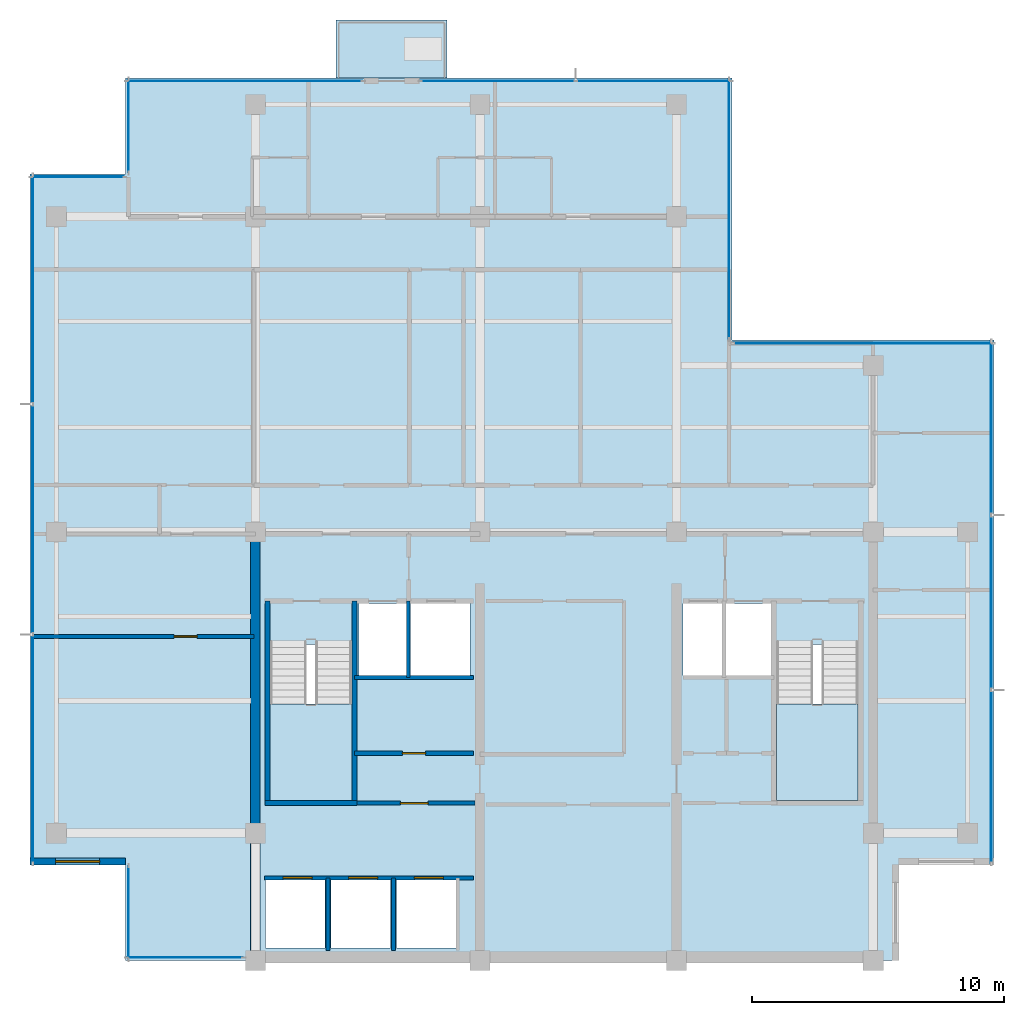
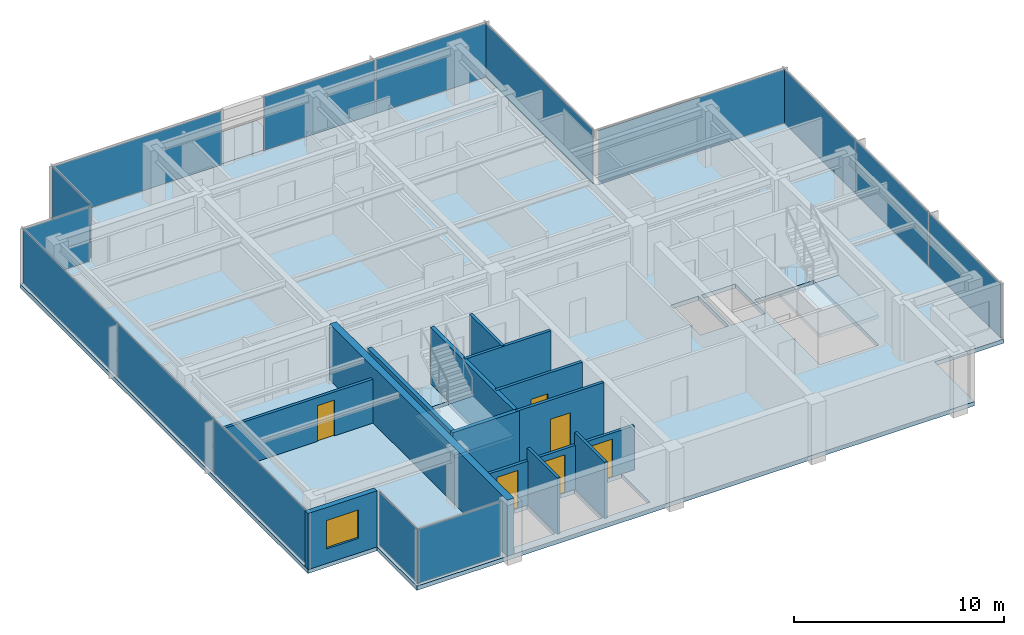
# One storey, part 5 of 11: 15 plates, 13 walls, 6 doors, 4 slabs, 1 window, 7 openings, 12 elements without a shape of their own.
"""IFC4 building model written with IfcOpenShell, lengths in metres."""

from ifc_helpers import new_model, si_unit, direction, frame, frame_2d, origin, origin_2d, place, context, subcontext, project, spatial, polyline, rectangle, outline, extrude, material, layer, layer_set, type_object, element, fill, aggregate, save


model = new_model("IFC4")

# Units and contexts
model_context = context("Model", 3, precision=1e-05, world=origin(), true_north=direction((0.0, 1.0)))
body_context = subcontext(model_context, "Body", "Model", "MODEL_VIEW")
ifc_project = project(units=[si_unit("LENGTHUNIT", "METRE"), si_unit("AREAUNIT", "SQUARE_METRE"), si_unit("VOLUMEUNIT", "CUBIC_METRE"), si_unit("PLANEANGLEUNIT", "RADIAN"), si_unit("MASSUNIT", "GRAM", prefix="KILO")], contexts=[model_context])

# Site, building, storey
site_placement = place(None, origin())
site = spatial("IfcSite", under=ifc_project, at=site_placement, CompositionType="ELEMENT")
building_placement = place(site_placement, origin())
building = spatial("IfcBuilding", under=site, at=building_placement, Name="Qalmaran Belvedere Hotel", CompositionType="ELEMENT")
storey_placement = place(building_placement, frame((0.0, 0.0, 263.39990234375)))
storey = spatial("IfcBuildingStorey", under=building, at=storey_placement, Name="L68", CompositionType="ELEMENT", Elevation=263.39990234375)

# Curtain wall, plate
ifc_material_1 = material(Name="Anodised Bronze Aluminium", Category="aluminium")
ifc_layer_1 = layer(ifc_material_1, 0.18505859375, Name="Anodised Bronze Aluminium")
ifc_layer_set_1 = layer_set([ifc_layer_1], Name="Anodised Bronze Aluminium")
curtain_wall_type = type_object("IfcCurtainWallType", Name="CW6-TOWER-SKY", PredefinedType="NOTDEFINED", material=ifc_layer_set_1)
curtain_wall_1_placement = place(storey_placement, origin())
curtain_wall_1 = element("IfcCurtainWall", 1, at=curtain_wall_1_placement, inside=storey, type_object=curtain_wall_type, Name="L68 Curtain Wall CW6", PredefinedType="NOTDEFINED")
ifc_material_2 = material(Name="Solar-Control Double Glazing", Category="glass")
ifc_layer_2 = layer(ifc_material_2, 0.028076171875, Name="Solar-Control Double Glazing")
ifc_layer_set_2 = layer_set([ifc_layer_2], Name="Solar-Control Double Glazing")
plate_type = type_object("IfcPlateType", Name="CWP-VISION-28", PredefinedType="CURTAIN_PANEL", material=ifc_layer_set_2)
plate_1_placement = place(storey_placement, frame((17.5048828125, 3.6201171875, 0.065185546875), z_axis=(0.0, 0.0, 1.0), x_axis=(1.0, 0.0, 0.0)))
plate_1 = element("IfcPlate", 2, at=plate_1_placement, type_object=plate_type, Name="CW6 panel 1.1", PredefinedType="CURTAIN_PANEL", context=body_context, shape_type="SweptSolid", body=[
    extrude(rectangle(XDim=4.580078125, YDim=0.028076171875, at=origin_2d()), origin(), (0.0, 0.0, 1.0), 3.1298828125),
])
aggregate(curtain_wall_1, [plate_1])

# Curtain wall, plates
curtain_wall_2_placement = place(storey_placement, origin())
curtain_wall_2 = element("IfcCurtainWall", 3, at=curtain_wall_2_placement, inside=storey, type_object=curtain_wall_type, Name="L68 Curtain Wall CW6", PredefinedType="NOTDEFINED")
plate_2_placement = place(storey_placement, frame((49.47998046875, 10.782958984375, 0.065185546875), z_axis=(0.0, 0.0, 1.0), x_axis=(0.0, 1.0, 0.0)))
plate_2 = element("IfcPlate", 4, at=plate_2_placement, type_object=plate_type, Name="CW6 panel 1.1", PredefinedType="CURTAIN_PANEL", context=body_context, shape_type="SweptSolid", body=[
    extrude(rectangle(XDim=6.8359375, YDim=0.028076171875, at=origin_2d()), origin(), (0.0, 0.0, 1.0), 3.1298828125),
])
plate_3_placement = place(storey_placement, frame((49.47998046875, 17.699951171875, 0.065185546875), z_axis=(0.0, 0.0, 1.0), x_axis=(0.0, 1.0, 0.0)))
plate_3 = element("IfcPlate", 5, at=plate_3_placement, type_object=plate_type, Name="CW6 panel 2.1", PredefinedType="CURTAIN_PANEL", context=body_context, shape_type="SweptSolid", body=[
    extrude(rectangle(XDim=6.868408203125, YDim=0.028076171875, at=origin_2d()), origin(), (0.0, 0.0, 1.0), 3.1298828125),
])
plate_4_placement = place(storey_placement, frame((49.47998046875, 24.6171875, 0.065185546875), z_axis=(0.0, 0.0, 1.0), x_axis=(0.0, 1.0, 0.0)))
plate_4 = element("IfcPlate", 6, at=plate_4_placement, type_object=plate_type, Name="CW6 panel 3.1", PredefinedType="CURTAIN_PANEL", context=body_context, shape_type="SweptSolid", body=[
    extrude(rectangle(XDim=6.8359375, YDim=0.028076171875, at=origin_2d()), origin(), (0.0, 0.0, 1.0), 3.1298828125),
])
aggregate(curtain_wall_2, [plate_2, plate_3, plate_4])

# Curtain wall, plate
curtain_wall_3_placement = place(storey_placement, origin())
curtain_wall_3 = element("IfcCurtainWall", 7, at=curtain_wall_3_placement, inside=storey, type_object=curtain_wall_type, Name="L68 Curtain Wall CW6", PredefinedType="NOTDEFINED")
plate_5_placement = place(storey_placement, frame((44.39990234375, 27.97998046875, 0.065185546875), z_axis=(0.0, 0.0, 1.0), x_axis=(-1.0, 0.0, 0.0)))
plate_5 = element("IfcPlate", 8, at=plate_5_placement, type_object=plate_type, Name="CW6 panel 1.1", PredefinedType="CURTAIN_PANEL", context=body_context, shape_type="SweptSolid", body=[
    extrude(rectangle(XDim=10.27001953125, YDim=0.028076171875, at=origin_2d()), origin(), (0.0, 0.0, 1.0), 3.1298828125),
])
aggregate(curtain_wall_3, [plate_5])

curtain_wall_4_placement = place(storey_placement, origin())
curtain_wall_4 = element("IfcCurtainWall", 9, at=curtain_wall_4_placement, inside=storey, type_object=curtain_wall_type, Name="L68 Curtain Wall CW6", PredefinedType="NOTDEFINED")
plate_6_placement = place(storey_placement, frame((39.080078125, 33.300048828125, 0.065185546875), z_axis=(0.0, 0.0, 1.0), x_axis=(0.0, 1.0, 0.0)))
plate_6 = element("IfcPlate", 10, at=plate_6_placement, type_object=plate_type, Name="CW6 panel 1.1", PredefinedType="CURTAIN_PANEL", context=body_context, shape_type="SweptSolid", body=[
    extrude(rectangle(XDim=10.27001953125, YDim=0.028076171875, at=origin_2d()), origin(), (0.0, 0.0, 1.0), 3.1298828125),
])
aggregate(curtain_wall_4, [plate_6])

curtain_wall_5_placement = place(storey_placement, origin())
curtain_wall_5 = element("IfcCurtainWall", 11, at=curtain_wall_5_placement, inside=storey, type_object=curtain_wall_type, Name="L68 Curtain Wall CW6", PredefinedType="NOTDEFINED")
plate_7_placement = place(storey_placement, frame((19.875, 38.3798828125, 0.065185546875), z_axis=(0.0, 0.0, 1.0), x_axis=(-1.0, 0.0, 0.0)))
plate_7 = element("IfcPlate", 12, at=plate_7_placement, type_object=plate_type, Name="CW6 panel 1.1", PredefinedType="CURTAIN_PANEL", context=body_context, shape_type="SweptSolid", body=[
    extrude(rectangle(XDim=9.320068359375, YDim=0.028076171875, at=origin_2d()), origin(), (0.0, 0.0, 1.0), 3.1298828125),
])
aggregate(curtain_wall_5, [plate_7])

# Curtain wall, plates
curtain_wall_6_placement = place(storey_placement, origin())
curtain_wall_6 = element("IfcCurtainWall", 13, at=curtain_wall_6_placement, inside=storey, type_object=curtain_wall_type, Name="L68 Curtain Wall CW6", PredefinedType="NOTDEFINED")
plate_8_placement = place(storey_placement, frame((36.083740234375, 38.3798828125, 0.065185546875), z_axis=(0.0, 0.0, 1.0), x_axis=(-1.0, 0.0, 0.0)))
plate_8 = element("IfcPlate", 14, at=plate_8_placement, type_object=plate_type, Name="CW6 panel 1.1", PredefinedType="CURTAIN_PANEL", context=body_context, shape_type="SweptSolid", body=[
    extrude(rectangle(XDim=6.1025390625, YDim=0.028076171875, at=origin_2d()), origin(), (0.0, 0.0, 1.0), 3.1298828125),
])
plate_9_placement = place(storey_placement, frame((29.916259765625, 38.3798828125, 0.065185546875), z_axis=(0.0, 0.0, 1.0), x_axis=(-1.0, 0.0, 0.0)))
plate_9 = element("IfcPlate", 15, at=plate_9_placement, type_object=plate_type, Name="CW6 panel 2.1", PredefinedType="CURTAIN_PANEL", context=body_context, shape_type="SweptSolid", body=[
    extrude(rectangle(XDim=6.1025390625, YDim=0.028076171875, at=origin_2d()), origin(), (0.0, 0.0, 1.0), 3.1298828125),
])
aggregate(curtain_wall_6, [plate_8, plate_9])

# Curtain wall, plate
curtain_wall_7_placement = place(storey_placement, origin())
curtain_wall_7 = element("IfcCurtainWall", 16, at=curtain_wall_7_placement, inside=storey, type_object=curtain_wall_type, Name="L68 Curtain Wall CW6", PredefinedType="NOTDEFINED")
plate_10_placement = place(storey_placement, frame((15.27001953125, 36.60009765625, 0.065185546875), z_axis=(0.0, 0.0, 1.0), x_axis=(0.0, -1.0, 0.0)))
plate_10 = element("IfcPlate", 17, at=plate_10_placement, type_object=plate_type, Name="CW6 panel 1.1", PredefinedType="CURTAIN_PANEL", context=body_context, shape_type="SweptSolid", body=[
    extrude(rectangle(XDim=3.669921875, YDim=0.028076171875, at=origin_2d()), origin(), (0.0, 0.0, 1.0), 3.1298828125),
])
aggregate(curtain_wall_7, [plate_10])

curtain_wall_8_placement = place(storey_placement, origin())
curtain_wall_8 = element("IfcCurtainWall", 18, at=curtain_wall_8_placement, inside=storey, type_object=curtain_wall_type, Name="L68 Curtain Wall CW6", PredefinedType="NOTDEFINED")
plate_11_placement = place(storey_placement, frame((13.25, 34.580078125, 0.065185546875), z_axis=(0.0, 0.0, 1.0), x_axis=(-1.0, 0.0, 0.0)))
plate_11 = element("IfcPlate", 19, at=plate_11_placement, type_object=plate_type, Name="CW6 panel 1.1", PredefinedType="CURTAIN_PANEL", context=body_context, shape_type="SweptSolid", body=[
    extrude(rectangle(XDim=3.669921875, YDim=0.028076171875, at=origin_2d()), origin(), (0.0, 0.0, 1.0), 3.1298828125),
])
aggregate(curtain_wall_8, [plate_11])

# Curtain wall, plates
curtain_wall_9_placement = place(storey_placement, origin())
curtain_wall_9 = element("IfcCurtainWall", 20, at=curtain_wall_9_placement, inside=storey, type_object=curtain_wall_type, Name="L68 Curtain Wall CW6", PredefinedType="NOTDEFINED")
plate_12_placement = place(storey_placement, frame((11.469970703125, 30.1171875, 0.065185546875), z_axis=(0.0, 0.0, 1.0), x_axis=(0.0, -1.0, 0.0)))
plate_12 = element("IfcPlate", 21, at=plate_12_placement, type_object=plate_type, Name="CW6 panel 1.1", PredefinedType="CURTAIN_PANEL", context=body_context, shape_type="SweptSolid", body=[
    extrude(rectangle(XDim=9.035888671875, YDim=0.028076171875, at=origin_2d()), origin(), (0.0, 0.0, 1.0), 3.1298828125),
])
plate_13_placement = place(storey_placement, frame((11.469970703125, 21.0, 0.065185546875), z_axis=(0.0, 0.0, 1.0), x_axis=(0.0, -1.0, 0.0)))
plate_13 = element("IfcPlate", 22, at=plate_13_placement, type_object=plate_type, Name="CW6 panel 2.1", PredefinedType="CURTAIN_PANEL", context=body_context, shape_type="SweptSolid", body=[
    extrude(rectangle(XDim=9.068359375, YDim=0.028076171875, at=origin_2d()), origin(), (0.0, 0.0, 1.0), 3.1298828125),
])
plate_14_placement = place(storey_placement, frame((11.469970703125, 11.8828125, 0.065185546875), z_axis=(0.0, 0.0, 1.0), x_axis=(0.0, -1.0, 0.0)))
plate_14 = element("IfcPlate", 23, at=plate_14_placement, type_object=plate_type, Name="CW6 panel 3.1", PredefinedType="CURTAIN_PANEL", context=body_context, shape_type="SweptSolid", body=[
    extrude(rectangle(XDim=9.035888671875, YDim=0.028076171875, at=origin_2d()), origin(), (0.0, 0.0, 1.0), 3.1298828125),
])
aggregate(curtain_wall_9, [plate_12, plate_13, plate_14])

# Curtain wall, plate
curtain_wall_10_placement = place(storey_placement, origin())
curtain_wall_10 = element("IfcCurtainWall", 24, at=curtain_wall_10_placement, inside=storey, type_object=curtain_wall_type, Name="L68 Curtain Wall CW6", PredefinedType="NOTDEFINED")
plate_15_placement = place(storey_placement, frame((15.27001953125, 5.39990234375, 0.065185546875), z_axis=(0.0, 0.0, 1.0), x_axis=(0.0, -1.0, 0.0)))
plate_15 = element("IfcPlate", 25, at=plate_15_placement, type_object=plate_type, Name="CW6 panel 1.1", PredefinedType="CURTAIN_PANEL", context=body_context, shape_type="SweptSolid", body=[
    extrude(rectangle(XDim=3.669921875, YDim=0.028076171875, at=origin_2d()), origin(), (0.0, 0.0, 1.0), 3.1298828125),
])
aggregate(curtain_wall_10, [plate_15])

# Slab
ifc_material_3 = material(Name="Concrete C40/50", Category="concrete")
ifc_layer_3 = layer(ifc_material_3, 0.219970703125, Name="Concrete C40/50")
ifc_layer_set_3 = layer_set([ifc_layer_3], Name="Concrete C40/50")
slab_type_1 = type_object("IfcSlabType", Name="SLB-BAL-220", PredefinedType="USERDEFINED", material=ifc_layer_set_3)
slab_1_placement = place(storey_placement, frame((0.0, 0.0, -0.219970703125)))
element("IfcSlab", 26, at=slab_1_placement, inside=storey, type_object=slab_type_1, Name="L68 Planted Tree Balcony Slab 1", ObjectType="BALCONY", PredefinedType="USERDEFINED", context=body_context, shape_type="SweptSolid", body=[
    extrude(outline(polyline([(23.5, 38.5), (27.89990234375, 38.5), (27.89990234375, 40.800048828125), (23.5, 40.800048828125), (23.5, 38.5)])), origin(), (0.0, 0.0, 1.0), 0.219970703125),
])

# Stair, slab
stair_type_1 = type_object("IfcStairType", Name="STR-ST-1-1450-R1750", PredefinedType="HALF_TURN_STAIR", material=ifc_material_3)
stair_1_placement = place(storey_placement, origin())
stair_1 = element("IfcStair", 27, at=stair_1_placement, inside=storey, type_object=stair_type_1, Name="L68 West Core Exit Stair ST-1", PredefinedType="HALF_TURN_STAIR")
ifc_layer_4 = layer(ifc_material_3, 0.199951171875, Name="Concrete C40/50")
ifc_layer_set_4 = layer_set([ifc_layer_4], Name="Concrete C40/50")
slab_type_2 = type_object("IfcSlabType", Name="SLB-STAIR-LANDING-200", PredefinedType="LANDING", material=ifc_layer_set_4)
slab_2_placement = place(storey_placement, frame((0.0, 0.0, 1.550048828125)))
slab_2 = element("IfcSlab", 28, at=slab_2_placement, type_object=slab_type_2, Name="ST-1 landing 1", PredefinedType="LANDING", context=body_context, shape_type="SweptSolid", body=[
    extrude(outline(polyline([(20.8798828125, 13.669921875), (20.8798828125, 9.85009765625), (24.1201171875, 9.85009765625), (24.1201171875, 13.669921875), (20.8798828125, 13.669921875)])), origin(), (0.0, 0.0, 1.0), 0.199951171875),
])
aggregate(stair_1, [slab_2])

stair_type_2 = type_object("IfcStairType", Name="STR-ST-2-1450-R1750", PredefinedType="HALF_TURN_STAIR", material=ifc_material_3)
stair_2_placement = place(storey_placement, origin())
stair_2 = element("IfcStair", 29, at=stair_2_placement, inside=storey, type_object=stair_type_2, Name="L68 East Core Exit Stair ST-2", PredefinedType="HALF_TURN_STAIR")
slab_3_placement = place(storey_placement, frame((0.0, 0.0, 1.550048828125)))
slab_3 = element("IfcSlab", 30, at=slab_3_placement, type_object=slab_type_2, Name="ST-2 landing 1", PredefinedType="LANDING", context=body_context, shape_type="SweptSolid", body=[
    extrude(outline(polyline([(40.9599609375, 13.669921875), (40.9599609375, 9.85009765625), (44.199951171875, 9.85009765625), (44.199951171875, 13.669921875), (40.9599609375, 13.669921875)])), origin(), (0.0, 0.0, 1.0), 0.199951171875),
])
aggregate(stair_2, [slab_3])

# Slab
ifc_layer_5 = layer(ifc_material_3, 0.239990234375, Name="Concrete C40/50")
ifc_layer_set_5 = layer_set([ifc_layer_5], Name="Concrete C40/50")
slab_type_3 = type_object("IfcSlabType", Name="SLB-Z4-240", PredefinedType="FLOOR", material=ifc_layer_set_5)
slab_4_placement = place(storey_placement, frame((0.0, 0.0, -0.239990234375)))
element("IfcSlab", 31, at=slab_4_placement, inside=storey, type_object=slab_type_3, Name="L68 Structural Floor Slab", PredefinedType="FLOOR", context=body_context, shape_type="SweptSolid", body=[
    extrude(outline(polyline([(15.14990234375, 3.5), (45.800048828125, 3.5), (45.800048828125, 7.300048828125), (49.60009765625, 7.300048828125), (49.60009765625, 28.10009765625), (39.199951171875, 28.10009765625), (39.199951171875, 38.5), (15.14990234375, 38.5), (15.14990234375, 34.699951171875), (11.35009765625, 34.699951171875), (11.35009765625, 7.300048828125), (15.14990234375, 7.300048828125), (15.14990234375, 3.5)]), holes=[polyline([(20.8798828125, 9.85009765625), (24.1201171875, 9.85009765625), (24.1201171875, 16.0400390625), (20.8798828125, 16.0400390625), (20.8798828125, 9.85009765625)]), polyline([(40.9599609375, 9.85009765625), (44.199951171875, 9.85009765625), (44.199951171875, 16.0400390625), (40.9599609375, 16.0400390625), (40.9599609375, 9.85009765625)]), polyline([(20.699951171875, 4.0), (23.050048828125, 4.0), (23.050048828125, 6.699951171875), (20.699951171875, 6.699951171875), (20.699951171875, 4.0)]), polyline([(23.300048828125, 4.0), (25.64990234375, 4.0), (25.64990234375, 6.699951171875), (23.300048828125, 6.699951171875), (23.300048828125, 4.0)]), polyline([(25.89990234375, 4.0), (28.25, 4.0), (28.25, 6.699951171875), (25.89990234375, 6.699951171875), (25.89990234375, 4.0)]), polyline([(24.39990234375, 14.800048828125), (26.300048828125, 14.800048828125), (26.300048828125, 17.64990234375), (24.39990234375, 17.64990234375), (24.39990234375, 14.800048828125)]), polyline([(38.949951171875, 14.800048828125), (40.820068359375, 14.800048828125), (40.820068359375, 17.64990234375), (38.949951171875, 17.64990234375), (38.949951171875, 14.800048828125)]), polyline([(26.449951171875, 14.800048828125), (28.800048828125, 14.800048828125), (28.800048828125, 17.64990234375), (26.449951171875, 17.64990234375), (26.449951171875, 14.800048828125)]), polyline([(37.25, 14.800048828125), (38.800048828125, 14.800048828125), (38.800048828125, 17.64990234375), (37.25, 17.64990234375), (37.25, 14.800048828125)])]), origin(), (0.0, 0.0, 1.0), 0.239990234375),
])

# Wall
ifc_material_4 = material(Name="Concrete C50/60", Category="concrete")
ifc_layer_6 = layer(ifc_material_4, 0.3798828125, Name="Concrete C50/60")
ifc_layer_set_6 = layer_set([ifc_layer_6], Name="Concrete C50/60")
wall_type_1 = type_object("IfcWallType", Name="WL-CORE-380-C50", PredefinedType="SHEAR", material=ifc_layer_set_6)
wall_1_placement = place(storey_placement, frame((20.300048828125, 3.5, 0.0), z_axis=(0.0, 0.0, 1.0), x_axis=(0.0, 1.0, 0.0)))
element("IfcWall", 32, at=wall_1_placement, inside=storey, type_object=wall_type_1, Name="L68 West Core Shear Wall", PredefinedType="SHEAR", context=body_context, shape_type="SweptSolid", body=[
    extrude(rectangle(XDim=16.89990234375, YDim=0.3798828125, at=frame_2d((8.449951171875, 0.0))), origin(), (0.0, 0.0, 1.0), 3.260009765625),
])

# Wall, opening, window
ifc_material_5 = material(Name="Anodised Bronze Cladding")
ifc_layer_7 = layer(ifc_material_5, 0.280029296875, Name="Anodised Bronze Cladding")
ifc_layer_set_7 = layer_set([ifc_layer_7], Name="Anodised Bronze Cladding")
wall_type_2 = type_object("IfcWallType", Name="WL-EXT-BRNZ-280", PredefinedType="SOLIDWALL", material=ifc_layer_set_7)
wall_2_placement = place(storey_placement, frame((11.35009765625, 7.419921875, 0.0), z_axis=(0.0, 0.0, 1.0), x_axis=(1.0, 0.0, 0.0)))
wall_2 = element("IfcWall", 33, at=wall_2_placement, inside=storey, type_object=wall_type_2, Name="L68 Corner Notch Wall 10", PredefinedType="SOLIDWALL", context=body_context, shape_type="SweptSolid", body=[
    extrude(rectangle(XDim=3.7998046875, YDim=0.280029296875, at=frame_2d((1.89990234375, 0.0))), origin(), (0.0, 0.0, 1.0), 3.260009765625),
])
opening_1_placement = place(wall_2_placement, frame((1.02490234375, 0.0, 0.85009765625)))
opening_1 = element("IfcOpeningElement", 34, at=opening_1_placement, cuts=wall_2, Name="Opening W-N17", PredefinedType="OPENING", context=body_context, shape_type="SweptSolid", body=[
    extrude(rectangle(XDim=1.75, YDim=1.64990234375, at=frame_2d((0.875, 0.824951171875))), frame((0.0, 0.14990234375, 0.0), z_axis=(0.0, -1.0, 0.0), x_axis=(1.0, 0.0, 0.0)), (0.0, 0.0, 1.0), 0.300048828125),
])
window_type = type_object("IfcWindowType", Name="WN-NTC-1750X1650", PartitioningType="SINGLE_PANEL", PredefinedType="WINDOW", material=ifc_material_2)
window_placement = place(opening_1_placement, origin())
window = element("IfcWindow", 35, at=window_placement, inside=storey, type_object=window_type, Name="L68 Corner Notch Window 10", OverallHeight=1.64990234375, OverallWidth=1.75, PartitioningType="SINGLE_PANEL", PredefinedType="WINDOW", context=body_context, shape_type="SweptSolid", body=[
    extrude(rectangle(XDim=1.75, YDim=1.64990234375, at=frame_2d((0.875, 0.824951171875))), frame((0.0, 0.030029296875, 0.0), z_axis=(0.0, -1.0, 0.0), x_axis=(1.0, 0.0, 0.0)), (0.0, 0.0, 1.0), 0.06005859375),
])
fill(opening_1, window)

# Walls
ifc_material_6 = material(Name="Gypsum Stud Partition")
ifc_layer_8 = layer(ifc_material_6, 0.14990234375, Name="Gypsum Stud Partition")
ifc_layer_set_8 = layer_set([ifc_layer_8], Name="Gypsum Stud Partition")
wall_type_3 = type_object("IfcWallType", Name="WL-INT-150-EI120", PredefinedType="PARTITIONING", material=ifc_layer_set_8)
wall_3_placement = place(storey_placement, frame((26.360107421875, 14.719970703125, 0.0), z_axis=(0.0, 0.0, 1.0), x_axis=(0.0, 1.0, 0.0)))
element("IfcWall", 36, at=wall_3_placement, inside=storey, type_object=wall_type_3, Name="L68 Partition WL-FF1M-L68", PredefinedType="PARTITIONING", context=body_context, shape_type="SweptSolid", body=[
    extrude(rectangle(XDim=3.0400390625, YDim=0.14990234375, at=frame_2d((1.52001953125, 0.0))), origin(), (0.0, 0.0, 1.0), 3.260009765625),
])
for number, where, z_axis, x_axis, name in (
    (37, (23.179931640625, 3.89990234375, 0.0), (0.0, 0.0, 1.0), (0.0, 1.0, 0.0), "L68 Partition WL-POM1-L68"),
    (38, (25.780029296875, 3.89990234375, 0.0), (0.0, 0.0, 1.0), (0.0, 1.0, 0.0), "L68 Partition WL-POM2-L68"),
):
    element("IfcWall", number, at=place(storey_placement, frame(where, z_axis=z_axis, x_axis=x_axis)), inside=storey, type_object=wall_type_3, Name=name, PredefinedType="PARTITIONING", context=body_context, shape_type="SweptSolid", body=[
        extrude(rectangle(XDim=2.880126953125, YDim=0.14990234375, at=frame_2d((1.43994140625, 0.0))), origin(), (0.0, 0.0, 1.0), 3.260009765625),
    ])
ifc_layer_9 = layer(ifc_material_6, 0.159912109375, Name="Gypsum Stud Partition")
ifc_layer_set_9 = layer_set([ifc_layer_9], Name="Gypsum Stud Partition")
wall_type_4 = type_object("IfcWallType", Name="WL-INT-160-EI120", PredefinedType="PARTITIONING", material=ifc_layer_set_9)
wall_4_placement = place(storey_placement, frame((24.219970703125, 14.719970703125, 0.0), z_axis=(0.0, 0.0, 1.0), x_axis=(1.0, 0.0, 0.0)))
element("IfcWall", 39, at=wall_4_placement, inside=storey, type_object=wall_type_4, Name="L68 Partition WL-FF1S-L68", PredefinedType="PARTITIONING", context=body_context, shape_type="SweptSolid", body=[
    extrude(rectangle(XDim=4.72998046875, YDim=0.159912109375, at=frame_2d((2.364990234375, 0.0))), origin(), (0.0, 0.0, 1.0), 3.260009765625),
])

# Wall, openings, doors
wall_5_placement = place(storey_placement, frame((20.64990234375, 6.780029296875, 0.0), z_axis=(0.0, 0.0, 1.0), x_axis=(1.0, 0.0, 0.0)))
wall_5 = element("IfcWall", 40, at=wall_5_placement, inside=storey, type_object=wall_type_4, Name="L68 Partition WL-POS-L68", PredefinedType="PARTITIONING", context=body_context, shape_type="SweptSolid", body=[
    extrude(rectangle(XDim=8.300048828125, YDim=0.159912109375, at=frame_2d((4.14990234375, 0.0))), origin(), (0.0, 0.0, 1.0), 2.550048828125),
])
opening_2_placement = place(wall_5_placement, frame((0.75, 0.0, 0.0)))
opening_2 = element("IfcOpeningElement", 41, at=opening_2_placement, cuts=wall_5, Name="Opening LD-PO", PredefinedType="OPENING", context=body_context, shape_type="SweptSolid", body=[
    extrude(rectangle(XDim=1.14990234375, YDim=2.199951171875, at=frame_2d((0.574951171875, 1.10009765625))), frame((0.0, 0.08984375, 0.0), z_axis=(0.0, -1.0, 0.0), x_axis=(1.0, 0.0, 0.0)), (0.0, 0.0, 1.0), 0.179931640625),
])
opening_3_placement = place(wall_5_placement, frame((3.35009765625, 0.0, 0.0)))
opening_3 = element("IfcOpeningElement", 42, at=opening_3_placement, cuts=wall_5, Name="Opening LD-PO", PredefinedType="OPENING", context=body_context, shape_type="SweptSolid", body=[
    extrude(rectangle(XDim=1.14990234375, YDim=2.199951171875, at=frame_2d((0.574951171875, 1.10009765625))), frame((0.0, 0.08984375, 0.0), z_axis=(0.0, -1.0, 0.0), x_axis=(1.0, 0.0, 0.0)), (0.0, 0.0, 1.0), 0.179931640625),
])
opening_4_placement = place(wall_5_placement, frame((5.949951171875, 0.0, 0.0)))
opening_4 = element("IfcOpeningElement", 43, at=opening_4_placement, cuts=wall_5, Name="Opening LD-PO", PredefinedType="OPENING", context=body_context, shape_type="SweptSolid", body=[
    extrude(rectangle(XDim=1.14990234375, YDim=2.199951171875, at=frame_2d((0.574951171875, 1.10009765625))), frame((0.0, 0.08984375, 0.0), z_axis=(0.0, -1.0, 0.0), x_axis=(1.0, 0.0, 0.0)), (0.0, 0.0, 1.0), 0.179931640625),
])
door_type_1 = type_object("IfcDoorType", Name="DR-LIFT-PO-1150X2200", OperationType="DOUBLE_DOOR_SLIDING", PredefinedType="DOOR", material=ifc_material_1)
door_1_placement = place(opening_2_placement, origin())
door_1 = element("IfcDoor", 44, at=door_1_placement, inside=storey, type_object=door_type_1, Name="L68 PO1 Shuttle Landing Door", OperationType="DOUBLE_DOOR_SLIDING", OverallHeight=2.199951171875, OverallWidth=1.14990234375, PredefinedType="DOOR", context=body_context, shape_type="SweptSolid", body=[
    extrude(rectangle(XDim=1.14990234375, YDim=2.199951171875, at=frame_2d((0.574951171875, 1.10009765625))), frame((0.0, 0.02490234375, 0.0), z_axis=(0.0, -1.0, 0.0), x_axis=(1.0, 0.0, 0.0)), (0.0, 0.0, 1.0), 0.050048828125),
])
fill(opening_2, door_1)
door_2_placement = place(opening_3_placement, origin())
door_2 = element("IfcDoor", 45, at=door_2_placement, inside=storey, type_object=door_type_1, Name="L68 PO2 Shuttle Landing Door", OperationType="DOUBLE_DOOR_SLIDING", OverallHeight=2.199951171875, OverallWidth=1.14990234375, PredefinedType="DOOR", context=body_context, shape_type="SweptSolid", body=[
    extrude(rectangle(XDim=1.14990234375, YDim=2.199951171875, at=frame_2d((0.574951171875, 1.10009765625))), frame((0.0, 0.02490234375, 0.0), z_axis=(0.0, -1.0, 0.0), x_axis=(1.0, 0.0, 0.0)), (0.0, 0.0, 1.0), 0.050048828125),
])
fill(opening_3, door_2)
door_3_placement = place(opening_4_placement, origin())
door_3 = element("IfcDoor", 46, at=door_3_placement, inside=storey, type_object=door_type_1, Name="L68 PO3 Shuttle Landing Door", OperationType="DOUBLE_DOOR_SLIDING", OverallHeight=2.199951171875, OverallWidth=1.14990234375, PredefinedType="DOOR", context=body_context, shape_type="SweptSolid", body=[
    extrude(rectangle(XDim=1.14990234375, YDim=2.199951171875, at=frame_2d((0.574951171875, 1.10009765625))), frame((0.0, 0.02490234375, 0.0), z_axis=(0.0, -1.0, 0.0), x_axis=(1.0, 0.0, 0.0)), (0.0, 0.0, 1.0), 0.050048828125),
])
fill(opening_4, door_3)

# Wall, opening, door
wall_6_placement = place(storey_placement, frame((24.199951171875, 9.739990234375, 0.0), z_axis=(0.0, 0.0, 1.0), x_axis=(1.0, 0.0, 0.0)))
wall_6 = element("IfcWall", 47, at=wall_6_placement, inside=storey, type_object=wall_type_4, Name="L68 Partition WL-PON-L68", PredefinedType="PARTITIONING", context=body_context, shape_type="SweptSolid", body=[
    extrude(rectangle(XDim=4.800048828125, YDim=0.159912109375, at=frame_2d((2.39990234375, 0.0))), origin(), (0.0, 0.0, 1.0), 3.260009765625),
])
opening_5_placement = place(wall_6_placement, frame((1.85009765625, 0.0, 0.0)))
opening_5 = element("IfcOpeningElement", 48, at=opening_5_placement, cuts=wall_6, Name="Opening FD90", PredefinedType="OPENING", context=body_context, shape_type="SweptSolid", body=[
    extrude(rectangle(XDim=1.10009765625, YDim=2.14990234375, at=frame_2d((0.550048828125, 1.074951171875))), frame((0.0, 0.08984375, 0.0), z_axis=(0.0, -1.0, 0.0), x_axis=(1.0, 0.0, 0.0)), (0.0, 0.0, 1.0), 0.179931640625),
])
ifc_material_7 = material(Name="Steel S355JR", Category="steel")
door_type_2 = type_object("IfcDoorType", Name="DR-FD90-1100X2150", OperationType="NOTDEFINED", PredefinedType="DOOR", material=ifc_material_7)
door_4_placement = place(opening_5_placement, origin())
door_4 = element("IfcDoor", 49, at=door_4_placement, inside=storey, type_object=door_type_2, Name="L68 Shuttle Lobby Passage Door", OperationType="SINGLE_SWING_LEFT", OverallHeight=2.14990234375, OverallWidth=1.10009765625, PredefinedType="DOOR", context=body_context, shape_type="SweptSolid", body=[
    extrude(rectangle(XDim=1.10009765625, YDim=2.14990234375, at=frame_2d((0.550048828125, 1.074951171875))), frame((0.0, 0.02490234375, 0.0), z_axis=(0.0, -1.0, 0.0), x_axis=(1.0, 0.0, 0.0)), (0.0, 0.0, 1.0), 0.050048828125),
])
fill(opening_5, door_4)

ifc_layer_10 = layer(ifc_material_6, 0.159912109375, Name="Gypsum Stud Partition")
ifc_layer_set_10 = layer_set([ifc_layer_10], Name="Gypsum Stud Partition")
wall_type_5 = type_object("IfcWallType", Name="WL-INT-160-EI60", PredefinedType="PARTITIONING", material=ifc_layer_set_10)
wall_7_placement = place(storey_placement, frame((24.219970703125, 11.719970703125, 0.0), z_axis=(0.0, 0.0, 1.0), x_axis=(1.0, 0.0, 0.0)))
wall_7 = element("IfcWall", 50, at=wall_7_placement, inside=storey, type_object=wall_type_5, Name="L68 Partition WL-L68-KWE1", PredefinedType="PARTITIONING", context=body_context, shape_type="SweptSolid", body=[
    extrude(rectangle(XDim=4.72998046875, YDim=0.159912109375, at=frame_2d((2.364990234375, 0.0))), origin(), (0.0, 0.0, 1.0), 3.260009765625),
])
opening_6_placement = place(wall_7_placement, frame((1.905029296875, 0.0, 0.0)))
opening_6 = element("IfcOpeningElement", 51, at=opening_6_placement, cuts=wall_7, Name="Opening FD60S1", PredefinedType="OPENING", context=body_context, shape_type="SweptSolid", body=[
    extrude(rectangle(XDim=0.919921875, YDim=2.080078125, at=frame_2d((0.4599609375, 1.0400390625))), frame((0.0, 0.08984375, 0.0), z_axis=(0.0, -1.0, 0.0), x_axis=(1.0, 0.0, 0.0)), (0.0, 0.0, 1.0), 0.179931640625),
])
ifc_material_8 = material(Name="Engineered Oak Veneer")
door_type_3 = type_object("IfcDoorType", Name="DR-FD60S-920X2080", OperationType="NOTDEFINED", PredefinedType="DOOR", material=ifc_material_8)
door_5_placement = place(opening_6_placement, origin())
door_5 = element("IfcDoor", 52, at=door_5_placement, inside=storey, type_object=door_type_3, Name="L68 Electrical Distribution Room Door", OperationType="SINGLE_SWING_RIGHT", OverallHeight=2.080078125, OverallWidth=0.919921875, PredefinedType="DOOR", context=body_context, shape_type="SweptSolid", body=[
    extrude(rectangle(XDim=0.919921875, YDim=2.080078125, at=frame_2d((0.4599609375, 1.0400390625))), frame((0.0, 0.02490234375, 0.0), z_axis=(0.0, -1.0, 0.0), x_axis=(1.0, 0.0, 0.0)), (0.0, 0.0, 1.0), 0.050048828125),
])
fill(opening_6, door_5)

wall_8_placement = place(storey_placement, frame((11.469970703125, 16.35009765625, 0.0), z_axis=(0.0, 0.0, 1.0), x_axis=(1.0, 0.0, 0.0)))
wall_8 = element("IfcWall", 53, at=wall_8_placement, inside=storey, type_object=wall_type_5, Name="L68 Partition WL-L68-C4WH1", PredefinedType="PARTITIONING", context=body_context, shape_type="SweptSolid", body=[
    extrude(rectangle(XDim=8.780029296875, YDim=0.159912109375, at=frame_2d((4.39013671875, 0.0))), origin(), (0.0, 0.0, 1.0), 2.550048828125),
])
opening_7_placement = place(wall_8_placement, frame((6.52001953125, 0.0, 0.0), z_axis=(0.0, 0.0, 1.0), x_axis=(-1.0, 0.0, 0.0)))
opening_7 = element("IfcOpeningElement", 54, at=opening_7_placement, cuts=wall_8, Name="Opening FD60S1", PredefinedType="OPENING", context=body_context, shape_type="SweptSolid", body=[
    extrude(rectangle(XDim=0.919921875, YDim=2.080078125, at=frame_2d((0.4599609375, 1.0400390625))), frame((0.0, 0.08984375, 0.0), z_axis=(0.0, -1.0, 0.0), x_axis=(1.0, 0.0, 0.0)), (0.0, 0.0, 1.0), 0.179931640625),
])
door_6_placement = place(opening_7_placement, origin())
door_6 = element("IfcDoor", 55, at=door_6_placement, inside=storey, type_object=door_type_3, Name="L68 SW Panorama Inner Door", OperationType="SINGLE_SWING_LEFT", OverallHeight=2.080078125, OverallWidth=0.919921875, PredefinedType="DOOR", context=body_context, shape_type="SweptSolid", body=[
    extrude(rectangle(XDim=0.919921875, YDim=2.080078125, at=frame_2d((0.4599609375, 1.0400390625))), frame((0.0, 0.02490234375, 0.0), z_axis=(0.0, -1.0, 0.0), x_axis=(1.0, 0.0, 0.0)), (0.0, 0.0, 1.0), 0.050048828125),
])
fill(opening_7, door_6)

# Walls
ifc_layer_11 = layer(ifc_material_4, 0.2099609375, Name="Concrete C50/60")
ifc_layer_set_11 = layer_set([ifc_layer_11], Name="Concrete C50/60")
wall_type_6 = type_object("IfcWallType", Name="WL-STAIR-210-C50", PredefinedType="SHEAR", material=ifc_layer_set_11)
for number, where, z_axis, x_axis, name in (
    (56, (20.77490234375, 9.7451171875, 0.0), (0.0, 0.0, 1.0), (0.0, 1.0, 0.0), "L68 Stair ST-1 West Bearing Wall"),
    (57, (24.22509765625, 9.7451171875, 0.0), (0.0, 0.0, 1.0), (0.0, 1.0, 0.0), "L68 Stair ST-1 East Bearing Wall"),
):
    element("IfcWall", number, at=place(storey_placement, frame(where, z_axis=z_axis, x_axis=x_axis)), inside=storey, type_object=wall_type_6, Name=name, PredefinedType="SHEAR", context=body_context, shape_type="SweptSolid", body=[
        extrude(rectangle(XDim=8.009765625, YDim=0.2099609375, at=frame_2d((4.0048828125, 0.0))), origin(), (0.0, 0.0, 1.0), 3.260009765625),
    ])
wall_9_placement = place(storey_placement, frame((20.669921875, 9.7451171875, 0.0), z_axis=(0.0, 0.0, 1.0), x_axis=(1.0, 0.0, 0.0)))
element("IfcWall", 58, at=wall_9_placement, inside=storey, type_object=wall_type_6, Name="L68 Stair ST-1 South Bearing Wall", PredefinedType="SHEAR", context=body_context, shape_type="SweptSolid", body=[
    extrude(rectangle(XDim=3.66015625, YDim=0.2099609375, at=frame_2d((1.830078125, 0.0))), origin(), (0.0, 0.0, 1.0), 3.260009765625),
])

save(model, "model.ifc")
